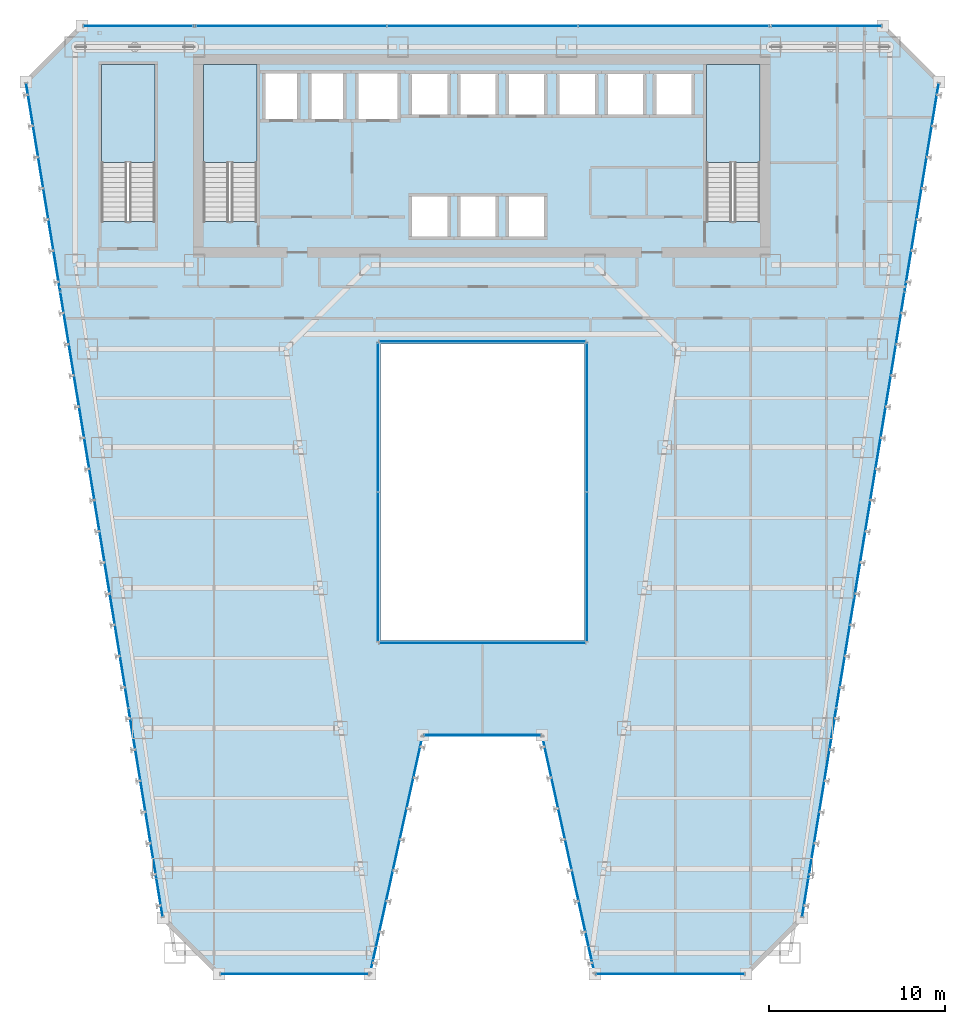
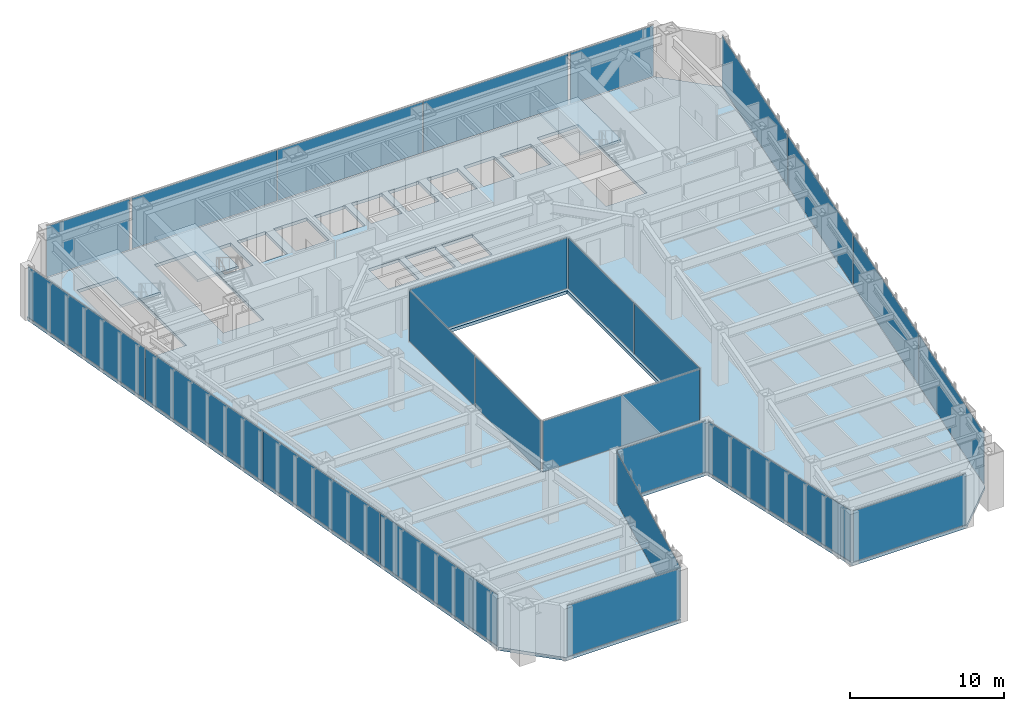
# One storey, part 34 of 47: 24 plates, 4 slabs, 17 elements without a shape of their own.
"""IFC4 building model written with IfcOpenShell, lengths in metres."""

from ifc_helpers import new_model, si_unit, direction, frame, origin, origin_2d, place, context, subcontext, project, spatial, polyline, rectangle, outline, extrude, material, layer, layer_set, type_object, element, aggregate, save


model = new_model("IFC4")

# Units and contexts
model_context = context("Model", 3, precision=1e-05, world=origin(), true_north=direction((0.0, 1.0)))
body_context = subcontext(model_context, "Body", "Model", "MODEL_VIEW")
ifc_project = project(units=[si_unit("LENGTHUNIT", "METRE"), si_unit("AREAUNIT", "SQUARE_METRE"), si_unit("VOLUMEUNIT", "CUBIC_METRE"), si_unit("PLANEANGLEUNIT", "RADIAN"), si_unit("MASSUNIT", "GRAM", prefix="KILO")], contexts=[model_context])

# Site, building, storey
site_placement = place(None, origin())
site = spatial("IfcSite", under=ifc_project, at=site_placement, CompositionType="ELEMENT")
building_placement = place(site_placement, origin())
building = spatial("IfcBuilding", under=site, at=building_placement, Name="Saevonmaru Cultural Tower", CompositionType="ELEMENT")
storey_placement = place(building_placement, frame((0.0, 0.0, 64.800048828125)))
storey = spatial("IfcBuildingStorey", under=building, at=storey_placement, Name="L13", CompositionType="ELEMENT", Elevation=64.800048828125)

# Curtain wall, plate
ifc_material_1 = material(Name="Satin Bronze Anodised Aluminium", Category="aluminium")
curtain_wall_type_1 = type_object("IfcCurtainWallType", Name="CW-ATR-GLZ", PredefinedType="NOTDEFINED", material=ifc_material_1)
curtain_wall_1_placement = place(storey_placement, origin())
curtain_wall_1 = element("IfcCurtainWall", 1, at=curtain_wall_1_placement, inside=storey, type_object=curtain_wall_type_1, Name="L13 Vertical Atrium Glazed Smoke Screen 1", PredefinedType="NOTDEFINED")
ifc_material_2 = material(Name="Fire-Rated Laminated Atrium Glass", Category="glass")
ifc_layer_1 = layer(ifc_material_2, 0.031982421875, Name="Fire-Rated Laminated Atrium Glass")
ifc_layer_set_1 = layer_set([ifc_layer_1], Name="Fire-Rated Laminated Atrium Glass")
plate_type_1 = type_object("IfcPlateType", Name="PN-GLZ-ATR-INT", PredefinedType="CURTAIN_PANEL", material=ifc_layer_set_1)
plate_1_placement = place(storey_placement, frame((30.0, 20.85009765625, 0.06689453125), z_axis=(0.0, 0.0, 1.0), x_axis=(1.0, 0.0, 0.0)))
plate_1 = element("IfcPlate", 2, at=plate_1_placement, type_object=plate_type_1, Name="CW-ATR-L13-1 panel 1.1", PredefinedType="CURTAIN_PANEL", context=body_context, shape_type="SweptSolid", body=[
    extrude(rectangle(XDim=11.7109375, YDim=0.031982421875, at=origin_2d()), origin(), (0.0, 0.0, 1.0), 4.01611328125),
])
aggregate(curtain_wall_1, [plate_1])

# Curtain wall, plates
curtain_wall_2_placement = place(storey_placement, origin())
curtain_wall_2 = element("IfcCurtainWall", 3, at=curtain_wall_2_placement, inside=storey, type_object=curtain_wall_type_1, Name="L13 Vertical Atrium Glazed Smoke Screen 2", PredefinedType="NOTDEFINED")
plate_2_placement = place(storey_placement, frame((35.949951171875, 25.175048828125, 0.06689453125), z_axis=(0.0, 0.0, 1.0), x_axis=(0.0, 1.0, 0.0)))
plate_2 = element("IfcPlate", 4, at=plate_2_placement, type_object=plate_type_1, Name="CW-ATR-L13-2 panel 1.1", PredefinedType="CURTAIN_PANEL", context=body_context, shape_type="SweptSolid", body=[
    extrude(rectangle(XDim=8.4609375, YDim=0.031982421875, at=origin_2d()), origin(), (0.0, 0.0, 1.0), 4.01611328125),
])
plate_3_placement = place(storey_placement, frame((35.949951171875, 33.705078125, 0.06689453125), z_axis=(0.0, 0.0, 1.0), x_axis=(0.0, 1.0, 0.0)))
plate_3 = element("IfcPlate", 5, at=plate_3_placement, type_object=plate_type_1, Name="CW-ATR-L13-2 panel 2.1", PredefinedType="CURTAIN_PANEL", context=body_context, shape_type="SweptSolid", body=[
    extrude(rectangle(XDim=8.4609375, YDim=0.031982421875, at=origin_2d()), origin(), (0.0, 0.0, 1.0), 4.01611328125),
])
aggregate(curtain_wall_2, [plate_2, plate_3])

# Curtain wall, plate
curtain_wall_3_placement = place(storey_placement, origin())
curtain_wall_3 = element("IfcCurtainWall", 6, at=curtain_wall_3_placement, inside=storey, type_object=curtain_wall_type_1, Name="L13 Vertical Atrium Glazed Smoke Screen 3", PredefinedType="NOTDEFINED")
plate_4_placement = place(storey_placement, frame((30.0, 38.030029296875, 0.06689453125), z_axis=(0.0, 0.0, 1.0), x_axis=(-1.0, 0.0, 0.0)))
plate_4 = element("IfcPlate", 7, at=plate_4_placement, type_object=plate_type_1, Name="CW-ATR-L13-3 panel 1.1", PredefinedType="CURTAIN_PANEL", context=body_context, shape_type="SweptSolid", body=[
    extrude(rectangle(XDim=11.7109375, YDim=0.031982421875, at=origin_2d()), origin(), (0.0, 0.0, 1.0), 4.01611328125),
])
aggregate(curtain_wall_3, [plate_4])

# Curtain wall, plates
curtain_wall_4_placement = place(storey_placement, origin())
curtain_wall_4 = element("IfcCurtainWall", 8, at=curtain_wall_4_placement, inside=storey, type_object=curtain_wall_type_1, Name="L13 Vertical Atrium Glazed Smoke Screen 4", PredefinedType="NOTDEFINED")
plate_5_placement = place(storey_placement, frame((24.050048828125, 33.705078125, 0.06689453125), z_axis=(0.0, 0.0, 1.0), x_axis=(0.0, -1.0, 0.0)))
plate_5 = element("IfcPlate", 9, at=plate_5_placement, type_object=plate_type_1, Name="CW-ATR-L13-4 panel 1.1", PredefinedType="CURTAIN_PANEL", context=body_context, shape_type="SweptSolid", body=[
    extrude(rectangle(XDim=8.4609375, YDim=0.031982421875, at=origin_2d()), origin(), (0.0, 0.0, 1.0), 4.01611328125),
])
plate_6_placement = place(storey_placement, frame((24.050048828125, 25.175048828125, 0.06689453125), z_axis=(0.0, 0.0, 1.0), x_axis=(0.0, -1.0, 0.0)))
plate_6 = element("IfcPlate", 10, at=plate_6_placement, type_object=plate_type_1, Name="CW-ATR-L13-4 panel 2.1", PredefinedType="CURTAIN_PANEL", context=body_context, shape_type="SweptSolid", body=[
    extrude(rectangle(XDim=8.4609375, YDim=0.031982421875, at=origin_2d()), origin(), (0.0, 0.0, 1.0), 4.01611328125),
])
aggregate(curtain_wall_4, [plate_5, plate_6])

# Curtain wall, plate
curtain_wall_type_2 = type_object("IfcCurtainWallType", Name="CW-TYP-A", PredefinedType="NOTDEFINED", material=ifc_material_1)
curtain_wall_5_placement = place(storey_placement, origin())
curtain_wall_5 = element("IfcCurtainWall", 11, at=curtain_wall_5_placement, inside=storey, type_object=curtain_wall_type_2, Name="L13 Unitised Curtain Wall E2", PredefinedType="NOTDEFINED")
ifc_material_3 = material(Name="Triple Silver Low-E Insulating Glass", Category="glass")
ifc_layer_2 = layer(ifc_material_3, 0.035888671875, Name="Triple Silver Low-E Insulating Glass")
ifc_layer_set_2 = layer_set([ifc_layer_2], Name="Triple Silver Low-E Insulating Glass")
plate_type_2 = type_object("IfcPlateType", Name="PN-GLZ-IGU", PredefinedType="CURTAIN_PANEL", material=ifc_layer_set_2)
plate_7_placement = place(storey_placement, frame((19.300048828125, 2.0, 0.06689453125), z_axis=(0.0, 0.0, 1.0), x_axis=(1.0, 0.0, 0.0)))
plate_7 = element("IfcPlate", 12, at=plate_7_placement, type_object=plate_type_2, Name="CW-TW-L13-E2 panel 1.1", PredefinedType="CURTAIN_PANEL", context=body_context, shape_type="SweptSolid", body=[
    extrude(rectangle(XDim=8.410888671875, YDim=0.035888671875, at=origin_2d()), origin(), (0.0, 0.0, 1.0), 4.01611328125),
])
aggregate(curtain_wall_5, [plate_7])

curtain_wall_6_placement = place(storey_placement, origin())
curtain_wall_6 = element("IfcCurtainWall", 13, at=curtain_wall_6_placement, inside=storey, type_object=curtain_wall_type_2, Name="L13 Unitised Curtain Wall E3", PredefinedType="NOTDEFINED")
plate_8_placement = place(storey_placement, frame((25.10009765625, 8.800048828125, 0.06689453125), z_axis=(0.0, 0.0, 1.0), x_axis=(0.215413319953, 0.976522965212, 0.0)))
plate_8 = element("IfcPlate", 14, at=plate_8_placement, type_object=plate_type_2, Name="CW-TW-L13-E3 panel 1.1", PredefinedType="CURTAIN_PANEL", context=body_context, shape_type="SweptSolid", body=[
    extrude(rectangle(XDim=13.738037109375, YDim=0.035888671875, at=origin_2d()), origin(), (0.0, 0.0, 1.0), 4.01611328125),
])
aggregate(curtain_wall_6, [plate_8])

curtain_wall_7_placement = place(storey_placement, origin())
curtain_wall_7 = element("IfcCurtainWall", 15, at=curtain_wall_7_placement, inside=storey, type_object=curtain_wall_type_2, Name="L13 Unitised Curtain Wall E4", PredefinedType="NOTDEFINED")
plate_9_placement = place(storey_placement, frame((30.0, 15.60009765625, 0.06689453125), z_axis=(0.0, 0.0, 1.0), x_axis=(1.0, 0.0, 0.0)))
plate_9 = element("IfcPlate", 16, at=plate_9_placement, type_object=plate_type_2, Name="CW-TW-L13-E4 panel 1.1", PredefinedType="CURTAIN_PANEL", context=body_context, shape_type="SweptSolid", body=[
    extrude(rectangle(XDim=6.611083984375, YDim=0.035888671875, at=origin_2d()), origin(), (0.0, 0.0, 1.0), 4.01611328125),
])
aggregate(curtain_wall_7, [plate_9])

curtain_wall_8_placement = place(storey_placement, origin())
curtain_wall_8 = element("IfcCurtainWall", 17, at=curtain_wall_8_placement, inside=storey, type_object=curtain_wall_type_2, Name="L13 Unitised Curtain Wall E5", PredefinedType="NOTDEFINED")
plate_10_placement = place(storey_placement, frame((34.89990234375, 8.800048828125, 0.06689453125), z_axis=(0.0, 0.0, 1.0), x_axis=(0.215413319953, -0.976522965212, 0.0)))
plate_10 = element("IfcPlate", 18, at=plate_10_placement, type_object=plate_type_2, Name="CW-TW-L13-E5 panel 1.1", PredefinedType="CURTAIN_PANEL", context=body_context, shape_type="SweptSolid", body=[
    extrude(rectangle(XDim=13.738037109375, YDim=0.035888671875, at=origin_2d()), origin(), (0.0, 0.0, 1.0), 4.01611328125),
])
aggregate(curtain_wall_8, [plate_10])

curtain_wall_9_placement = place(storey_placement, origin())
curtain_wall_9 = element("IfcCurtainWall", 19, at=curtain_wall_9_placement, inside=storey, type_object=curtain_wall_type_2, Name="L13 Unitised Curtain Wall E6", PredefinedType="NOTDEFINED")
plate_11_placement = place(storey_placement, frame((40.699951171875, 2.0, 0.06689453125), z_axis=(0.0, 0.0, 1.0), x_axis=(1.0, 0.0, 0.0)))
plate_11 = element("IfcPlate", 20, at=plate_11_placement, type_object=plate_type_2, Name="CW-TW-L13-E6 panel 1.1", PredefinedType="CURTAIN_PANEL", context=body_context, shape_type="SweptSolid", body=[
    extrude(rectangle(XDim=8.410888671875, YDim=0.035888671875, at=origin_2d()), origin(), (0.0, 0.0, 1.0), 4.01611328125),
])
aggregate(curtain_wall_9, [plate_11])

# Curtain wall, plates
curtain_wall_10_placement = place(storey_placement, origin())
curtain_wall_10 = element("IfcCurtainWall", 21, at=curtain_wall_10_placement, inside=storey, type_object=curtain_wall_type_2, Name="L13 Unitised Curtain Wall E8", PredefinedType="NOTDEFINED")
plate_12_placement = place(storey_placement, frame((49.182373046875, 11.1943359375, 0.06689453125), z_axis=(0.0, 0.0, 1.0), x_axis=(0.161708868641, 0.986838508472, 0.0)))
plate_12 = element("IfcPlate", 22, at=plate_12_placement, type_object=plate_type_2, Name="CW-TW-L13-E8 panel 1.1", PredefinedType="CURTAIN_PANEL", context=body_context, shape_type="SweptSolid", body=[
    extrude(rectangle(XDim=11.959716796875, YDim=0.035888671875, at=origin_2d()), origin(), (0.0, 0.0, 1.0), 4.01611328125),
])
plate_13_placement = place(storey_placement, frame((51.12744140625, 23.064697265625, 0.06689453125), z_axis=(0.0, 0.0, 1.0), x_axis=(0.161708868641, 0.986838508472, 0.0)))
plate_13 = element("IfcPlate", 23, at=plate_13_placement, type_object=plate_type_2, Name="CW-TW-L13-E8 panel 2.1", PredefinedType="CURTAIN_PANEL", context=body_context, shape_type="SweptSolid", body=[
    extrude(rectangle(XDim=11.959716796875, YDim=0.035888671875, at=origin_2d()), origin(), (0.0, 0.0, 1.0), 4.01611328125),
])
plate_14_placement = place(storey_placement, frame((53.072509765625, 34.935302734375, 0.06689453125), z_axis=(0.0, 0.0, 1.0), x_axis=(0.161708868641, 0.986838508472, 0.0)))
plate_14 = element("IfcPlate", 24, at=plate_14_placement, type_object=plate_type_2, Name="CW-TW-L13-E8 panel 3.1", PredefinedType="CURTAIN_PANEL", context=body_context, shape_type="SweptSolid", body=[
    extrude(rectangle(XDim=11.959716796875, YDim=0.035888671875, at=origin_2d()), origin(), (0.0, 0.0, 1.0), 4.01611328125),
])
plate_15_placement = place(storey_placement, frame((55.017822265625, 46.8056640625, 0.06689453125), z_axis=(0.0, 0.0, 1.0), x_axis=(0.161708868641, 0.986838508472, 0.0)))
plate_15 = element("IfcPlate", 25, at=plate_15_placement, type_object=plate_type_2, Name="CW-TW-L13-E8 panel 4.1", PredefinedType="CURTAIN_PANEL", context=body_context, shape_type="SweptSolid", body=[
    extrude(rectangle(XDim=11.959716796875, YDim=0.035888671875, at=origin_2d()), origin(), (0.0, 0.0, 1.0), 4.01611328125),
])
aggregate(curtain_wall_10, [plate_12, plate_13, plate_14, plate_15])

curtain_wall_11_placement = place(storey_placement, origin())
curtain_wall_11 = element("IfcCurtainWall", 26, at=curtain_wall_11_placement, inside=storey, type_object=curtain_wall_type_2, Name="L13 North Spine Unitised Curtain Wall E10B", PredefinedType="NOTDEFINED")
plate_16_placement = place(storey_placement, frame((40.893310546875, 56.0, 0.06689453125), z_axis=(0.0, 0.0, 1.0), x_axis=(-1.0, 0.0, 0.0)))
plate_16 = element("IfcPlate", 27, at=plate_16_placement, type_object=plate_type_2, Name="CW-TW-L13-E10B panel 1.1", PredefinedType="CURTAIN_PANEL", context=body_context, shape_type="SweptSolid", body=[
    extrude(rectangle(XDim=10.82421875, YDim=0.035888671875, at=origin_2d()), origin(), (0.0, 0.0, 1.0), 4.01611328125),
])
plate_17_placement = place(storey_placement, frame((30.0, 56.0, 0.06689453125), z_axis=(0.0, 0.0, 1.0), x_axis=(-1.0, 0.0, 0.0)))
plate_17 = element("IfcPlate", 28, at=plate_17_placement, type_object=plate_type_2, Name="CW-TW-L13-E10B panel 2.1", PredefinedType="CURTAIN_PANEL", context=body_context, shape_type="SweptSolid", body=[
    extrude(rectangle(XDim=10.82421875, YDim=0.035888671875, at=origin_2d()), origin(), (0.0, 0.0, 1.0), 4.01611328125),
])
plate_18_placement = place(storey_placement, frame((19.106689453125, 56.0, 0.06689453125), z_axis=(0.0, 0.0, 1.0), x_axis=(-1.0, 0.0, 0.0)))
plate_18 = element("IfcPlate", 29, at=plate_18_placement, type_object=plate_type_2, Name="CW-TW-L13-E10B panel 3.1", PredefinedType="CURTAIN_PANEL", context=body_context, shape_type="SweptSolid", body=[
    extrude(rectangle(XDim=10.82421875, YDim=0.035888671875, at=origin_2d()), origin(), (0.0, 0.0, 1.0), 4.01611328125),
])
aggregate(curtain_wall_11, [plate_16, plate_17, plate_18])

curtain_wall_12_placement = place(storey_placement, origin())
curtain_wall_12 = element("IfcCurtainWall", 30, at=curtain_wall_12_placement, inside=storey, type_object=curtain_wall_type_2, Name="L13 Unitised Curtain Wall E12", PredefinedType="NOTDEFINED")
plate_19_placement = place(storey_placement, frame((4.982177734375, 46.8056640625, 0.06689453125), z_axis=(0.0, 0.0, 1.0), x_axis=(0.161708868641, -0.986838508472, 0.0)))
plate_19 = element("IfcPlate", 31, at=plate_19_placement, type_object=plate_type_2, Name="CW-TW-L13-E12 panel 1.1", PredefinedType="CURTAIN_PANEL", context=body_context, shape_type="SweptSolid", body=[
    extrude(rectangle(XDim=11.959716796875, YDim=0.035888671875, at=origin_2d()), origin(), (0.0, 0.0, 1.0), 4.01611328125),
])
plate_20_placement = place(storey_placement, frame((6.927490234375, 34.935302734375, 0.06689453125), z_axis=(0.0, 0.0, 1.0), x_axis=(0.161708868641, -0.986838508472, 0.0)))
plate_20 = element("IfcPlate", 32, at=plate_20_placement, type_object=plate_type_2, Name="CW-TW-L13-E12 panel 2.1", PredefinedType="CURTAIN_PANEL", context=body_context, shape_type="SweptSolid", body=[
    extrude(rectangle(XDim=11.959716796875, YDim=0.035888671875, at=origin_2d()), origin(), (0.0, 0.0, 1.0), 4.01611328125),
])
plate_21_placement = place(storey_placement, frame((8.87255859375, 23.064697265625, 0.06689453125), z_axis=(0.0, 0.0, 1.0), x_axis=(0.161708868641, -0.986838508472, 0.0)))
plate_21 = element("IfcPlate", 33, at=plate_21_placement, type_object=plate_type_2, Name="CW-TW-L13-E12 panel 3.1", PredefinedType="CURTAIN_PANEL", context=body_context, shape_type="SweptSolid", body=[
    extrude(rectangle(XDim=11.959716796875, YDim=0.035888671875, at=origin_2d()), origin(), (0.0, 0.0, 1.0), 4.01611328125),
])
plate_22_placement = place(storey_placement, frame((10.817626953125, 11.1943359375, 0.06689453125), z_axis=(0.0, 0.0, 1.0), x_axis=(0.161708868641, -0.986838508472, 0.0)))
plate_22 = element("IfcPlate", 34, at=plate_22_placement, type_object=plate_type_2, Name="CW-TW-L13-E12 panel 4.1", PredefinedType="CURTAIN_PANEL", context=body_context, shape_type="SweptSolid", body=[
    extrude(rectangle(XDim=11.959716796875, YDim=0.035888671875, at=origin_2d()), origin(), (0.0, 0.0, 1.0), 4.01611328125),
])
aggregate(curtain_wall_12, [plate_19, plate_20, plate_21, plate_22])

# Curtain wall, plate
curtain_wall_13_placement = place(storey_placement, origin())
curtain_wall_13 = element("IfcCurtainWall", 35, at=curtain_wall_13_placement, inside=storey, type_object=curtain_wall_type_2, Name="L13 East Braced Bay Spandrel Curtain Wall E10A", PredefinedType="NOTDEFINED")
ifc_material_4 = material(Name="Insulated Satin Bronze Aluminium Spandrel Panel", Category="aluminium")
ifc_layer_3 = layer(ifc_material_4, 0.0400390625, Name="Insulated Satin Bronze Aluminium Spandrel Panel")
ifc_layer_set_3 = layer_set([ifc_layer_3], Name="Insulated Satin Bronze Aluminium Spandrel Panel")
plate_type_3 = type_object("IfcPlateType", Name="PN-SPANDREL-BRONZE", PredefinedType="CURTAIN_PANEL", material=ifc_layer_set_3)
plate_23_placement = place(storey_placement, frame((49.60009765625, 56.0, 0.06689453125), z_axis=(0.0, 0.0, 1.0), x_axis=(-1.0, 0.0, 0.0)))
plate_23 = element("IfcPlate", 36, at=plate_23_placement, type_object=plate_type_3, Name="CW-TW-L13-E10A panel 1.1", PredefinedType="CURTAIN_PANEL", context=body_context, shape_type="SweptSolid", body=[
    extrude(rectangle(XDim=6.2109375, YDim=0.035888671875, at=origin_2d()), origin(), (0.0, 0.0, 1.0), 4.01611328125),
])
aggregate(curtain_wall_13, [plate_23])

curtain_wall_14_placement = place(storey_placement, origin())
curtain_wall_14 = element("IfcCurtainWall", 37, at=curtain_wall_14_placement, inside=storey, type_object=curtain_wall_type_2, Name="L13 West Braced Bay Spandrel Curtain Wall E10C", PredefinedType="NOTDEFINED")
plate_24_placement = place(storey_placement, frame((10.39990234375, 56.0, 0.06689453125), z_axis=(0.0, 0.0, 1.0), x_axis=(-1.0, 0.0, 0.0)))
plate_24 = element("IfcPlate", 38, at=plate_24_placement, type_object=plate_type_3, Name="CW-TW-L13-E10C panel 1.1", PredefinedType="CURTAIN_PANEL", context=body_context, shape_type="SweptSolid", body=[
    extrude(rectangle(XDim=6.2109375, YDim=0.035888671875, at=origin_2d()), origin(), (0.0, 0.0, 1.0), 4.01611328125),
])
aggregate(curtain_wall_14, [plate_24])

# Slab
ifc_material_5 = material(Name="Concrete C40/50", Category="concrete")
ifc_layer_4 = layer(ifc_material_5, 0.25, Name="Concrete C40/50")
ifc_layer_set_4 = layer_set([ifc_layer_4], Name="Concrete C40/50")
slab_type_1 = type_object("IfcSlabType", Name="SL-FLR-250", PredefinedType="FLOOR", material=ifc_layer_set_4)
slab_1_placement = place(storey_placement, frame((0.0, 0.0, -0.25)))
element("IfcSlab", 39, at=slab_1_placement, inside=storey, type_object=slab_type_1, Name="L13 Tower Structural Floor Slab", PredefinedType="FLOOR", context=body_context, shape_type="SweptSolid", body=[
    extrude(outline(polyline([(11.800048828125, 5.199951171875), (15.0, 2.0), (23.60009765625, 2.0), (26.60009765625, 15.60009765625), (33.39990234375, 15.60009765625), (36.39990234375, 2.0), (45.0, 2.0), (48.199951171875, 5.199951171875), (56.0, 52.800048828125), (52.800048828125, 56.0), (7.199951171875, 56.0), (4.0, 52.800048828125), (11.800048828125, 5.199951171875)]), holes=[polyline([(45.800048828125, 44.875), (42.75, 44.875), (42.75, 53.800048828125), (45.800048828125, 53.800048828125), (45.800048828125, 44.875)]), polyline([(39.75, 50.800048828125), (39.75, 53.39990234375), (42.050048828125, 53.39990234375), (42.050048828125, 50.800048828125), (39.75, 50.800048828125)]), polyline([(37.0, 50.800048828125), (37.0, 53.39990234375), (39.300048828125, 53.39990234375), (39.300048828125, 50.800048828125), (37.0, 50.800048828125)]), polyline([(34.25, 50.800048828125), (34.25, 53.39990234375), (36.550048828125, 53.39990234375), (36.550048828125, 50.800048828125), (34.25, 50.800048828125)]), polyline([(24.199951171875, 21.0), (24.199951171875, 37.8798828125), (35.800048828125, 37.8798828125), (35.800048828125, 21.0), (24.199951171875, 21.0)]), polyline([(31.35009765625, 50.800048828125), (31.35009765625, 53.39990234375), (33.64990234375, 53.39990234375), (33.64990234375, 50.800048828125), (31.35009765625, 50.800048828125)]), polyline([(31.35009765625, 43.85009765625), (31.35009765625, 46.449951171875), (33.64990234375, 46.449951171875), (33.64990234375, 43.85009765625), (31.35009765625, 43.85009765625)]), polyline([(28.60009765625, 43.85009765625), (28.60009765625, 46.449951171875), (30.89990234375, 46.449951171875), (30.89990234375, 43.85009765625), (28.60009765625, 43.85009765625)]), polyline([(28.60009765625, 50.800048828125), (28.60009765625, 53.39990234375), (30.89990234375, 53.39990234375), (30.89990234375, 50.800048828125), (28.60009765625, 50.800048828125)]), polyline([(25.85009765625, 50.800048828125), (25.85009765625, 53.39990234375), (28.14990234375, 53.39990234375), (28.14990234375, 50.800048828125), (25.85009765625, 50.800048828125)]), polyline([(25.85009765625, 43.85009765625), (25.85009765625, 46.449951171875), (28.14990234375, 46.449951171875), (28.14990234375, 43.85009765625), (25.85009765625, 43.85009765625)]), polyline([(22.800048828125, 50.550048828125), (22.800048828125, 53.449951171875), (25.300048828125, 53.449951171875), (25.300048828125, 50.550048828125), (22.800048828125, 50.550048828125)]), polyline([(20.10009765625, 50.550048828125), (20.10009765625, 53.449951171875), (22.199951171875, 53.449951171875), (22.199951171875, 50.550048828125), (20.10009765625, 50.550048828125)]), polyline([(17.5, 50.550048828125), (17.5, 53.449951171875), (19.60009765625, 53.449951171875), (19.60009765625, 50.550048828125), (17.5, 50.550048828125)]), polyline([(17.14990234375, 44.875), (14.10009765625, 44.875), (14.10009765625, 53.800048828125), (17.14990234375, 53.800048828125), (17.14990234375, 44.875)]), polyline([(11.35009765625, 44.875), (8.300048828125, 44.875), (8.300048828125, 53.800048828125), (11.35009765625, 53.800048828125), (11.35009765625, 44.875)])]), origin(), (0.0, 0.0, 1.0), 0.25),
])

# Stair, slab
stair_type = type_object("IfcStairType", Name="STR-DOGLEG-RC", PredefinedType="HALF_TURN_STAIR", material=ifc_material_5)
stair_1_placement = place(storey_placement, origin())
stair_1 = element("IfcStair", 40, at=stair_1_placement, inside=storey, type_object=stair_type, Name="L13 Protected exit stair ST-1", PredefinedType="HALF_TURN_STAIR")
ifc_layer_5 = layer(ifc_material_5, 0.199951171875, Name="Concrete C40/50")
ifc_layer_set_5 = layer_set([ifc_layer_5], Name="Concrete C40/50")
slab_type_2 = type_object("IfcSlabType", Name="SL-STAIR-LANDING", PredefinedType="LANDING", material=ifc_layer_set_5)
slab_2_placement = place(storey_placement, frame((0.0, 0.0, 2.0)))
slab_2 = element("IfcSlab", 41, at=slab_2_placement, type_object=slab_type_2, Name="ST-1-L13 landing 1", PredefinedType="LANDING", context=body_context, shape_type="SweptSolid", body=[
    extrude(outline(polyline([(17.14990234375, 48.2099609375), (17.14990234375, 53.800048828125), (14.10009765625, 53.800048828125), (14.10009765625, 48.2099609375), (17.14990234375, 48.2099609375)])), origin(), (0.0, 0.0, 1.0), 0.199951171875),
])
aggregate(stair_1, [slab_2])

stair_2_placement = place(storey_placement, origin())
stair_2 = element("IfcStair", 42, at=stair_2_placement, inside=storey, type_object=stair_type, Name="L13 Protected exit stair ST-2", PredefinedType="HALF_TURN_STAIR")
slab_3_placement = place(storey_placement, frame((0.0, 0.0, 2.0)))
slab_3 = element("IfcSlab", 43, at=slab_3_placement, type_object=slab_type_2, Name="ST-2-L13 landing 1", PredefinedType="LANDING", context=body_context, shape_type="SweptSolid", body=[
    extrude(outline(polyline([(45.800048828125, 48.2099609375), (45.800048828125, 53.800048828125), (42.75, 53.800048828125), (42.75, 48.2099609375), (45.800048828125, 48.2099609375)])), origin(), (0.0, 0.0, 1.0), 0.199951171875),
])
aggregate(stair_2, [slab_3])

stair_3_placement = place(storey_placement, origin())
stair_3 = element("IfcStair", 44, at=stair_3_placement, inside=storey, type_object=stair_type, Name="L13 Protected exit stair ST-3", PredefinedType="HALF_TURN_STAIR")
slab_4_placement = place(storey_placement, frame((0.0, 0.0, 2.0)))
slab_4 = element("IfcSlab", 45, at=slab_4_placement, type_object=slab_type_2, Name="ST-3-L13 landing 1", PredefinedType="LANDING", context=body_context, shape_type="SweptSolid", body=[
    extrude(outline(polyline([(11.35009765625, 48.2099609375), (11.35009765625, 53.800048828125), (8.300048828125, 53.800048828125), (8.300048828125, 48.2099609375), (11.35009765625, 48.2099609375)])), origin(), (0.0, 0.0, 1.0), 0.199951171875),
])
aggregate(stair_3, [slab_4])

save(model, "model.ifc")
